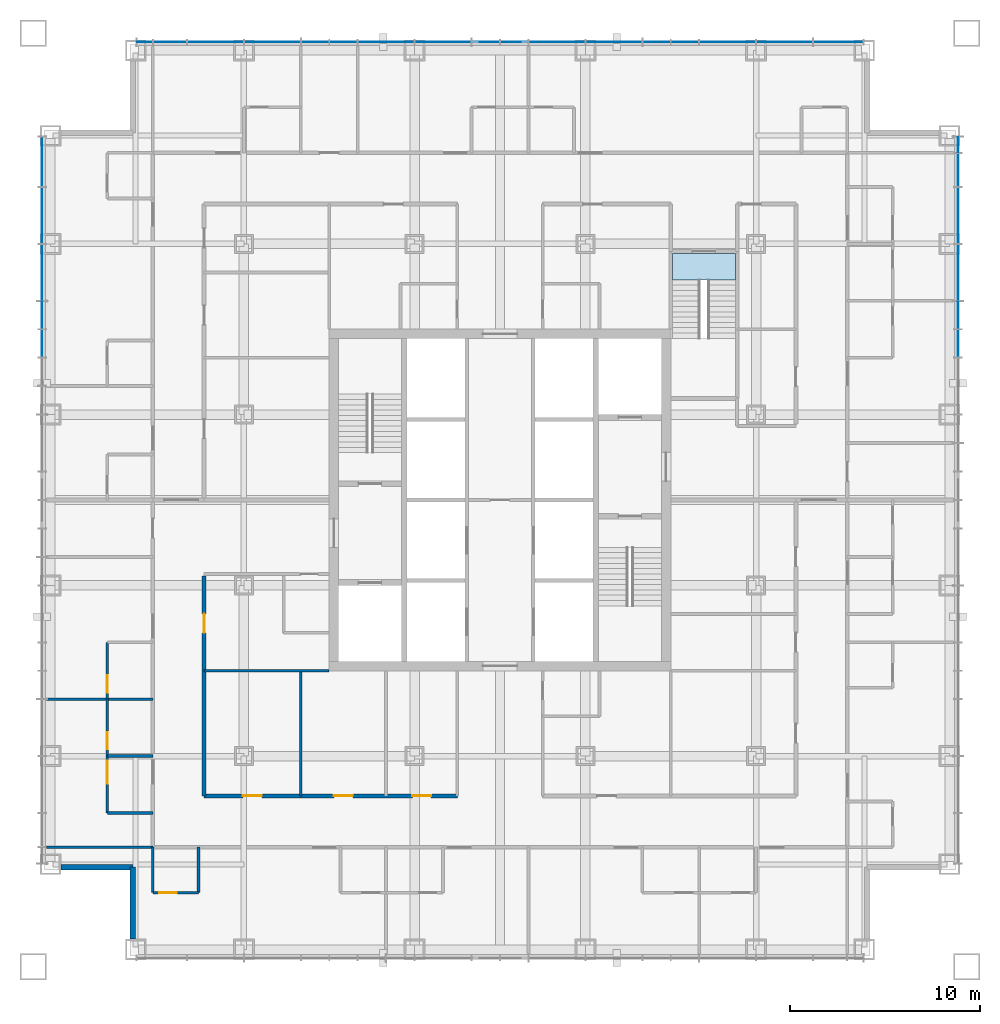
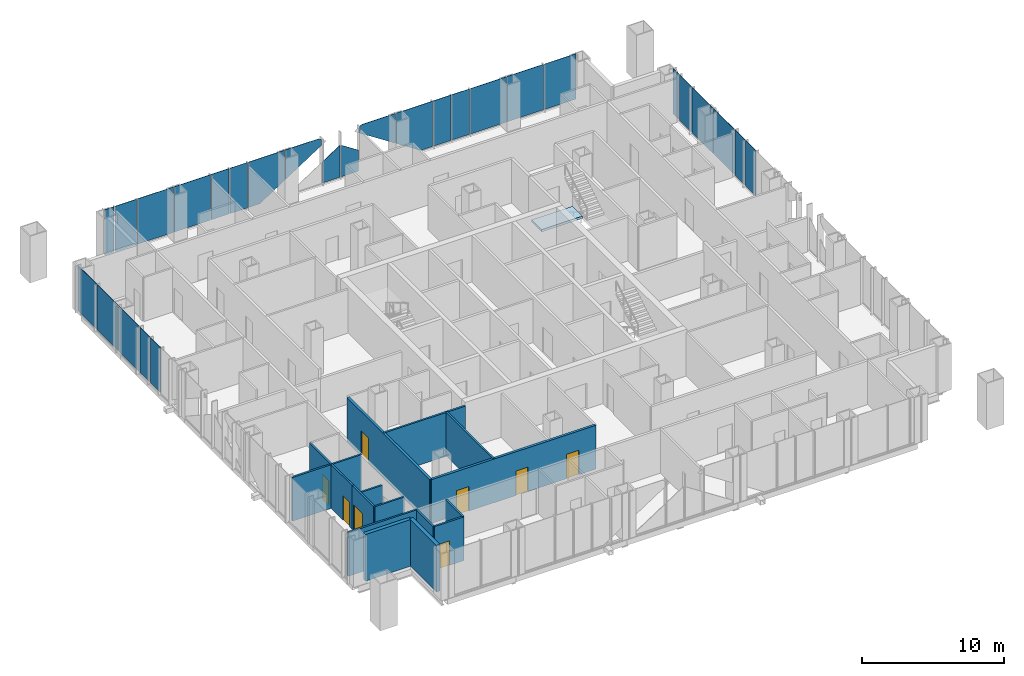
# One storey, part 8 of 16: 28 plates, 16 walls, 8 doors, 1 slab, 8 openings, 4 elements without a shape of their own.
"""IFC4 building model written with IfcOpenShell, lengths in metres."""

from ifc_helpers import new_model, si_unit, direction, frame, frame_2d, origin, origin_2d, place, context, subcontext, project, spatial, polyline, rectangle, outline, extrude, material, layer, layer_set, type_object, element, fill, aggregate, save


model = new_model("IFC4")

# Units and contexts
model_context = context("Model", 3, precision=1e-05, world=origin(), true_north=direction((0.0, 1.0)))
body_context = subcontext(model_context, "Body", "Model", "MODEL_VIEW")
ifc_project = project(units=[si_unit("LENGTHUNIT", "METRE"), si_unit("AREAUNIT", "SQUARE_METRE"), si_unit("VOLUMEUNIT", "CUBIC_METRE"), si_unit("PLANEANGLEUNIT", "RADIAN"), si_unit("MASSUNIT", "GRAM", prefix="KILO")], contexts=[model_context])

# Site, building, storey
site_placement = place(None, origin())
site = spatial("IfcSite", under=ifc_project, at=site_placement, CompositionType="ELEMENT")
building_placement = place(site_placement, origin())
building = spatial("IfcBuilding", under=site, at=building_placement, Name="Malebo Sky Hospital", CompositionType="ELEMENT")
storey_placement = place(building_placement, frame((0.0, 0.0, 152.0)))
storey = spatial("IfcBuildingStorey", under=building, at=storey_placement, Name="L36", CompositionType="ELEMENT", Elevation=152.0)

# Stair, slab
ifc_material_1 = material(Name="Concrete C40/50", Category="concrete")
stair_type = type_object("IfcStairType", Name="HALF-TURN STAIR 1400 R167", PredefinedType="HALF_TURN_STAIR", material=ifc_material_1)
stair_placement = place(storey_placement, origin())
stair = element("IfcStair", 1, at=stair_placement, inside=storey, type_object=stair_type, Name="Stair S3 L36 type ST1B", PredefinedType="HALF_TURN_STAIR")
ifc_layer_1 = layer(ifc_material_1, 0.199951171875)
ifc_layer_set_1 = layer_set([ifc_layer_1], Name="STAIR LANDING 200")
slab_type = type_object("IfcSlabType", Name="STAIR LANDING 200", PredefinedType="LANDING", material=ifc_layer_set_1)
slab_placement = place(storey_placement, frame((0.0, 0.0, -0.199951171875)))
slab = element("IfcSlab", 2, at=slab_placement, type_object=slab_type, Name="S3 landing 1", PredefinedType="LANDING", context=body_context, shape_type="SweptSolid", body=[
    extrude(outline(polyline([(69.10009765625, 73.60009765625), (72.39990234375, 73.60009765625), (72.39990234375, 75.0), (69.10009765625, 75.0), (69.10009765625, 73.60009765625)])), origin(), (0.0, 0.0, 1.0), 0.199951171875),
])
aggregate(stair, [slab])

# Curtain wall, plates
ifc_material_2 = material(Name="Anodised aluminium, natural silver", Category="aluminium")
ifc_layer_2 = layer(ifc_material_2, 0.25)
ifc_layer_set_2 = layer_set([ifc_layer_2], Name="WARD CURTAIN WALL NORTH AND SOUTH")
curtain_wall_type_1 = type_object("IfcCurtainWallType", Name="WARD CURTAIN WALL NORTH AND SOUTH", PredefinedType="NOTDEFINED", material=ifc_layer_set_2)
curtain_wall_1_placement = place(storey_placement, origin())
curtain_wall_1 = element("IfcCurtainWall", 3, at=curtain_wall_1_placement, inside=storey, type_object=curtain_wall_type_1, Name="NS curtain wall N", PredefinedType="NOTDEFINED")
ifc_material_3 = material(Name="Clear low-iron double glazing", Category="glass")
ifc_layer_3 = layer(ifc_material_3, 0.031982421875)
ifc_layer_set_3 = layer_set([ifc_layer_3], Name="VISION PANEL CLEAR 32")
plate_type = type_object("IfcPlateType", Name="VISION PANEL CLEAR 32", PredefinedType="CURTAIN_PANEL", material=ifc_layer_set_3)
plate_1_placement = place(storey_placement, frame((41.268798828125, 86.135009765625, 0.10009765625), z_axis=(0.0, 0.0, 1.0), x_axis=(1.0, 0.0, 0.0)))
plate_1 = element("IfcPlate", 4, at=plate_1_placement, type_object=plate_type, Name="Panel 1", PredefinedType="CURTAIN_PANEL", context=body_context, shape_type="SweptSolid", body=[
    extrude(rectangle(XDim=0.78759765625, YDim=0.031982421875, at=origin_2d()), origin(), (0.0, 0.0, 1.0), 3.889892578125),
])
plate_2_placement = place(storey_placement, frame((42.60009765625, 86.135009765625, 0.10009765625), z_axis=(0.0, 0.0, 1.0), x_axis=(1.0, 0.0, 0.0)))
plate_2 = element("IfcPlate", 5, at=plate_2_placement, type_object=plate_type, Name="Panel 2", PredefinedType="CURTAIN_PANEL", context=body_context, shape_type="SweptSolid", body=[
    extrude(rectangle(XDim=1.72509765625, YDim=0.031982421875, at=origin_2d()), origin(), (0.0, 0.0, 1.0), 3.889892578125),
])
plate_3_placement = place(storey_placement, frame((45.0, 86.135009765625, 0.10009765625), z_axis=(0.0, 0.0, 1.0), x_axis=(1.0, 0.0, 0.0)))
plate_3 = element("IfcPlate", 6, at=plate_3_placement, type_object=plate_type, Name="Panel 3", PredefinedType="CURTAIN_PANEL", context=body_context, shape_type="SweptSolid", body=[
    extrude(rectangle(XDim=2.925048828125, YDim=0.031982421875, at=origin_2d()), origin(), (0.0, 0.0, 1.0), 3.889892578125),
])
plate_4_placement = place(storey_placement, frame((48.0, 86.135009765625, 0.10009765625), z_axis=(0.0, 0.0, 1.0), x_axis=(1.0, 0.0, 0.0)))
plate_4 = element("IfcPlate", 7, at=plate_4_placement, type_object=plate_type, Name="Panel 4", PredefinedType="CURTAIN_PANEL", context=body_context, shape_type="SweptSolid", body=[
    extrude(rectangle(XDim=2.925048828125, YDim=0.031982421875, at=origin_2d()), origin(), (0.0, 0.0, 1.0), 3.889892578125),
])
plate_5_placement = place(storey_placement, frame((50.25, 86.135009765625, 0.10009765625), z_axis=(0.0, 0.0, 1.0), x_axis=(1.0, 0.0, 0.0)))
plate_5 = element("IfcPlate", 8, at=plate_5_placement, type_object=plate_type, Name="Panel 5", PredefinedType="CURTAIN_PANEL", context=body_context, shape_type="SweptSolid", body=[
    extrude(rectangle(XDim=1.425048828125, YDim=0.031982421875, at=origin_2d()), origin(), (0.0, 0.0, 1.0), 3.889892578125),
])
plate_6_placement = place(storey_placement, frame((51.75, 86.135009765625, 0.10009765625), z_axis=(0.0, 0.0, 1.0), x_axis=(1.0, 0.0, 0.0)))
plate_6 = element("IfcPlate", 9, at=plate_6_placement, type_object=plate_type, Name="Panel 6", PredefinedType="CURTAIN_PANEL", context=body_context, shape_type="SweptSolid", body=[
    extrude(rectangle(XDim=1.425048828125, YDim=0.031982421875, at=origin_2d()), origin(), (0.0, 0.0, 1.0), 3.889892578125),
])
plate_7_placement = place(storey_placement, frame((54.0, 86.135009765625, 0.10009765625), z_axis=(0.0, 0.0, 1.0), x_axis=(1.0, 0.0, 0.0)))
plate_7 = element("IfcPlate", 10, at=plate_7_placement, type_object=plate_type, Name="Panel 7", PredefinedType="CURTAIN_PANEL", context=body_context, shape_type="SweptSolid", body=[
    extrude(outline(polyline([(-1.46240234375, 0.0), (-0.52880859375, 0.0), (1.46240234375, 1.295166015625), (1.46240234375, 3.889892578125), (-1.46240234375, 3.889892578125), (-1.46240234375, 0.0)])), frame((0.0, 0.01611328125, 0.0), z_axis=(0.0, -1.0, 0.0), x_axis=(1.0, 0.0, 0.0)), (0.0, 0.0, 1.0), 0.031982421875),
])
plate_8_placement = place(storey_placement, frame((57.0, 86.135009765625, 1.44384765625), z_axis=(0.0, 0.0, 1.0), x_axis=(1.0, 0.0, 0.0)))
plate_8 = element("IfcPlate", 11, at=plate_8_placement, type_object=plate_type, Name="Panel 8", PredefinedType="CURTAIN_PANEL", context=body_context, shape_type="SweptSolid", body=[
    extrude(outline(polyline([(-1.46240234375, 0.0), (1.46240234375, 1.902587890625), (1.46240234375, 2.41015625), (1.25341796875, 2.546142578125), (-1.46240234375, 2.546142578125), (-1.46240234375, 0.0)])), frame((0.0, 0.01611328125, 0.0), z_axis=(0.0, -1.0, 0.0), x_axis=(1.0, 0.0, 0.0)), (0.0, 0.0, 1.0), 0.031982421875),
])
plate_9_placement = place(storey_placement, frame((59.25, 86.135009765625, 0.10009765625), z_axis=(0.0, 0.0, 1.0), x_axis=(1.0, 0.0, 0.0)))
plate_9 = element("IfcPlate", 12, at=plate_9_placement, type_object=plate_type, Name="Panel 9", PredefinedType="CURTAIN_PANEL", context=body_context, shape_type="SweptSolid", body=[
    extrude(outline(polyline([(-0.71240234375, 0.0), (0.71240234375, 0.0), (0.71240234375, 2.7294921875), (-0.71240234375, 1.802734375), (-0.71240234375, 0.0)])), frame((0.0, 0.01611328125, 0.0), z_axis=(0.0, -1.0, 0.0), x_axis=(1.0, 0.0, 0.0)), (0.0, 0.0, 1.0), 0.031982421875),
])
plate_10_placement = place(storey_placement, frame((60.75, 86.135009765625, 0.10009765625), z_axis=(0.0, 0.0, 1.0), x_axis=(1.0, 0.0, 0.0)))
plate_10 = element("IfcPlate", 13, at=plate_10_placement, type_object=plate_type, Name="Panel 10", PredefinedType="CURTAIN_PANEL", context=body_context, shape_type="SweptSolid", body=[
    extrude(outline(polyline([(-0.71240234375, 0.0), (0.71240234375, 0.0), (0.71240234375, 1.802734375), (-0.71240234375, 2.7294921875), (-0.71240234375, 0.0)])), frame((0.0, 0.01611328125, 0.0), z_axis=(0.0, -1.0, 0.0), x_axis=(1.0, 0.0, 0.0)), (0.0, 0.0, 1.0), 0.031982421875),
])
plate_11_placement = place(storey_placement, frame((63.0, 86.135009765625, 1.44384765625), z_axis=(0.0, 0.0, 1.0), x_axis=(1.0, 0.0, 0.0)))
plate_11 = element("IfcPlate", 14, at=plate_11_placement, type_object=plate_type, Name="Panel 11", PredefinedType="CURTAIN_PANEL", context=body_context, shape_type="SweptSolid", body=[
    extrude(outline(polyline([(1.46240234375, 0.0), (1.46240234375, 2.546142578125), (-1.25341796875, 2.546142578125), (-1.46240234375, 2.41015625), (-1.46240234375, 1.902587890625), (1.46240234375, 0.0)])), frame((0.0, 0.01611328125, 0.0), z_axis=(0.0, -1.0, 0.0), x_axis=(1.0, 0.0, 0.0)), (0.0, 0.0, 1.0), 0.031982421875),
])
plate_12_placement = place(storey_placement, frame((66.0, 86.135009765625, 0.10009765625), z_axis=(0.0, 0.0, 1.0), x_axis=(1.0, 0.0, 0.0)))
plate_12 = element("IfcPlate", 15, at=plate_12_placement, type_object=plate_type, Name="Panel 12", PredefinedType="CURTAIN_PANEL", context=body_context, shape_type="SweptSolid", body=[
    extrude(outline(polyline([(0.52880859375, 0.0), (1.46240234375, 0.0), (1.46240234375, 3.889892578125), (-1.46240234375, 3.889892578125), (-1.46240234375, 1.295166015625), (0.52880859375, 0.0)])), frame((0.0, 0.01611328125, 0.0), z_axis=(0.0, -1.0, 0.0), x_axis=(1.0, 0.0, 0.0)), (0.0, 0.0, 1.0), 0.031982421875),
])
plate_13_placement = place(storey_placement, frame((68.25, 86.135009765625, 0.10009765625), z_axis=(0.0, 0.0, 1.0), x_axis=(1.0, 0.0, 0.0)))
plate_13 = element("IfcPlate", 16, at=plate_13_placement, type_object=plate_type, Name="Panel 13", PredefinedType="CURTAIN_PANEL", context=body_context, shape_type="SweptSolid", body=[
    extrude(rectangle(XDim=1.425048828125, YDim=0.031982421875, at=origin_2d()), origin(), (0.0, 0.0, 1.0), 3.889892578125),
])
plate_14_placement = place(storey_placement, frame((69.75, 86.135009765625, 0.10009765625), z_axis=(0.0, 0.0, 1.0), x_axis=(1.0, 0.0, 0.0)))
plate_14 = element("IfcPlate", 17, at=plate_14_placement, type_object=plate_type, Name="Panel 14", PredefinedType="CURTAIN_PANEL", context=body_context, shape_type="SweptSolid", body=[
    extrude(rectangle(XDim=1.425048828125, YDim=0.031982421875, at=origin_2d()), origin(), (0.0, 0.0, 1.0), 3.889892578125),
])
plate_15_placement = place(storey_placement, frame((72.0, 86.135009765625, 0.10009765625), z_axis=(0.0, 0.0, 1.0), x_axis=(1.0, 0.0, 0.0)))
plate_15 = element("IfcPlate", 18, at=plate_15_placement, type_object=plate_type, Name="Panel 15", PredefinedType="CURTAIN_PANEL", context=body_context, shape_type="SweptSolid", body=[
    extrude(rectangle(XDim=2.925048828125, YDim=0.031982421875, at=origin_2d()), origin(), (0.0, 0.0, 1.0), 3.889892578125),
])
plate_16_placement = place(storey_placement, frame((75.0, 86.135009765625, 0.10009765625), z_axis=(0.0, 0.0, 1.0), x_axis=(1.0, 0.0, 0.0)))
plate_16 = element("IfcPlate", 19, at=plate_16_placement, type_object=plate_type, Name="Panel 16", PredefinedType="CURTAIN_PANEL", context=body_context, shape_type="SweptSolid", body=[
    extrude(rectangle(XDim=2.925048828125, YDim=0.031982421875, at=origin_2d()), origin(), (0.0, 0.0, 1.0), 3.889892578125),
])
plate_17_placement = place(storey_placement, frame((77.831298828125, 86.135009765625, 0.10009765625), z_axis=(0.0, 0.0, 1.0), x_axis=(1.0, 0.0, 0.0)))
plate_17 = element("IfcPlate", 20, at=plate_17_placement, type_object=plate_type, Name="Panel 17", PredefinedType="CURTAIN_PANEL", context=body_context, shape_type="SweptSolid", body=[
    extrude(rectangle(XDim=2.58740234375, YDim=0.031982421875, at=origin_2d()), origin(), (0.0, 0.0, 1.0), 3.889892578125),
])
aggregate(curtain_wall_1, [plate_1, plate_2, plate_3, plate_4, plate_5, plate_6, plate_7, plate_8, plate_9, plate_10, plate_11, plate_12, plate_13, plate_14, plate_15, plate_16, plate_17])

ifc_layer_4 = layer(ifc_material_2, 0.25)
ifc_layer_set_4 = layer_set([ifc_layer_4], Name="WARD CURTAIN WALL EAST AND WEST")
curtain_wall_type_2 = type_object("IfcCurtainWallType", Name="WARD CURTAIN WALL EAST AND WEST", PredefinedType="NOTDEFINED", material=ifc_layer_set_4)
curtain_wall_2_placement = place(storey_placement, origin())
curtain_wall_2 = element("IfcCurtainWall", 21, at=curtain_wall_2_placement, inside=storey, type_object=curtain_wall_type_2, Name="EW curtain wall W", PredefinedType="NOTDEFINED")
plate_18_placement = place(storey_placement, frame((35.864990234375, 70.25, 0.10009765625), z_axis=(0.0, 0.0, 1.0), x_axis=(0.0, 1.0, 0.0)))
plate_18 = element("IfcPlate", 22, at=plate_18_placement, type_object=plate_type, Name="Panel 15", PredefinedType="CURTAIN_PANEL", context=body_context, shape_type="SweptSolid", body=[
    extrude(rectangle(XDim=1.425048828125, YDim=0.031982421875, at=origin_2d()), origin(), (0.0, 0.0, 1.0), 3.889892578125),
])
plate_19_placement = place(storey_placement, frame((35.864990234375, 71.75, 0.10009765625), z_axis=(0.0, 0.0, 1.0), x_axis=(0.0, 1.0, 0.0)))
plate_19 = element("IfcPlate", 23, at=plate_19_placement, type_object=plate_type, Name="Panel 16", PredefinedType="CURTAIN_PANEL", context=body_context, shape_type="SweptSolid", body=[
    extrude(rectangle(XDim=1.425048828125, YDim=0.031982421875, at=origin_2d()), origin(), (0.0, 0.0, 1.0), 3.889892578125),
])
plate_20_placement = place(storey_placement, frame((35.864990234375, 74.0, 0.10009765625), z_axis=(0.0, 0.0, 1.0), x_axis=(0.0, 1.0, 0.0)))
plate_20 = element("IfcPlate", 24, at=plate_20_placement, type_object=plate_type, Name="Panel 17", PredefinedType="CURTAIN_PANEL", context=body_context, shape_type="SweptSolid", body=[
    extrude(rectangle(XDim=2.925048828125, YDim=0.031982421875, at=origin_2d()), origin(), (0.0, 0.0, 1.0), 3.889892578125),
])
plate_21_placement = place(storey_placement, frame((35.864990234375, 77.0, 0.10009765625), z_axis=(0.0, 0.0, 1.0), x_axis=(0.0, 1.0, 0.0)))
plate_21 = element("IfcPlate", 25, at=plate_21_placement, type_object=plate_type, Name="Panel 18", PredefinedType="CURTAIN_PANEL", context=body_context, shape_type="SweptSolid", body=[
    extrude(rectangle(XDim=2.925048828125, YDim=0.031982421875, at=origin_2d()), origin(), (0.0, 0.0, 1.0), 3.889892578125),
])
plate_22_placement = place(storey_placement, frame((35.864990234375, 79.831298828125, 0.10009765625), z_axis=(0.0, 0.0, 1.0), x_axis=(0.0, 1.0, 0.0)))
plate_22 = element("IfcPlate", 26, at=plate_22_placement, type_object=plate_type, Name="Panel 19", PredefinedType="CURTAIN_PANEL", context=body_context, shape_type="SweptSolid", body=[
    extrude(rectangle(XDim=2.58740234375, YDim=0.031982421875, at=origin_2d()), origin(), (0.0, 0.0, 1.0), 3.889892578125),
])
aggregate(curtain_wall_2, [plate_18, plate_19, plate_20, plate_21, plate_22])

curtain_wall_3_placement = place(storey_placement, origin())
curtain_wall_3 = element("IfcCurtainWall", 27, at=curtain_wall_3_placement, inside=storey, type_object=curtain_wall_type_2, Name="EW curtain wall E", PredefinedType="NOTDEFINED")
plate_23_placement = place(storey_placement, frame((84.135009765625, 80.731201171875, 0.10009765625), z_axis=(0.0, 0.0, 1.0), x_axis=(0.0, -1.0, 0.0)))
plate_23 = element("IfcPlate", 28, at=plate_23_placement, type_object=plate_type, Name="Panel 1", PredefinedType="CURTAIN_PANEL", context=body_context, shape_type="SweptSolid", body=[
    extrude(rectangle(XDim=0.78759765625, YDim=0.031982421875, at=origin_2d()), origin(), (0.0, 0.0, 1.0), 3.889892578125),
])
plate_24_placement = place(storey_placement, frame((84.135009765625, 79.39990234375, 0.10009765625), z_axis=(0.0, 0.0, 1.0), x_axis=(0.0, -1.0, 0.0)))
plate_24 = element("IfcPlate", 29, at=plate_24_placement, type_object=plate_type, Name="Panel 2", PredefinedType="CURTAIN_PANEL", context=body_context, shape_type="SweptSolid", body=[
    extrude(rectangle(XDim=1.72509765625, YDim=0.031982421875, at=origin_2d()), origin(), (0.0, 0.0, 1.0), 3.889892578125),
])
plate_25_placement = place(storey_placement, frame((84.135009765625, 77.0, 0.10009765625), z_axis=(0.0, 0.0, 1.0), x_axis=(0.0, -1.0, 0.0)))
plate_25 = element("IfcPlate", 30, at=plate_25_placement, type_object=plate_type, Name="Panel 3", PredefinedType="CURTAIN_PANEL", context=body_context, shape_type="SweptSolid", body=[
    extrude(rectangle(XDim=2.925048828125, YDim=0.031982421875, at=origin_2d()), origin(), (0.0, 0.0, 1.0), 3.889892578125),
])
plate_26_placement = place(storey_placement, frame((84.135009765625, 74.0, 0.10009765625), z_axis=(0.0, 0.0, 1.0), x_axis=(0.0, -1.0, 0.0)))
plate_26 = element("IfcPlate", 31, at=plate_26_placement, type_object=plate_type, Name="Panel 4", PredefinedType="CURTAIN_PANEL", context=body_context, shape_type="SweptSolid", body=[
    extrude(rectangle(XDim=2.925048828125, YDim=0.031982421875, at=origin_2d()), origin(), (0.0, 0.0, 1.0), 3.889892578125),
])
plate_27_placement = place(storey_placement, frame((84.135009765625, 71.75, 0.10009765625), z_axis=(0.0, 0.0, 1.0), x_axis=(0.0, -1.0, 0.0)))
plate_27 = element("IfcPlate", 32, at=plate_27_placement, type_object=plate_type, Name="Panel 5", PredefinedType="CURTAIN_PANEL", context=body_context, shape_type="SweptSolid", body=[
    extrude(rectangle(XDim=1.425048828125, YDim=0.031982421875, at=origin_2d()), origin(), (0.0, 0.0, 1.0), 3.889892578125),
])
plate_28_placement = place(storey_placement, frame((84.135009765625, 70.25, 0.10009765625), z_axis=(0.0, 0.0, 1.0), x_axis=(0.0, -1.0, 0.0)))
plate_28 = element("IfcPlate", 33, at=plate_28_placement, type_object=plate_type, Name="Panel 6", PredefinedType="CURTAIN_PANEL", context=body_context, shape_type="SweptSolid", body=[
    extrude(rectangle(XDim=1.425048828125, YDim=0.031982421875, at=origin_2d()), origin(), (0.0, 0.0, 1.0), 3.889892578125),
])
aggregate(curtain_wall_3, [plate_23, plate_24, plate_25, plate_26, plate_27, plate_28])

# Wall, opening, door
ifc_material_4 = material(Name="Gypsum board on steel studs", Category="steel")
ifc_layer_5 = layer(ifc_material_4, 0.199951171875)
ifc_layer_set_5 = layer_set([ifc_layer_5], Name="CORRIDOR WALL 200")
wall_type_1 = type_object("IfcWallType", Name="CORRIDOR WALL 200", PredefinedType="PARTITIONING", material=ifc_layer_set_5)
wall_1_placement = place(storey_placement, frame((44.39990234375, 46.39990234375, 0.0), z_axis=(0.0, 0.0, 1.0), x_axis=(0.0, 1.0, 0.0)))
wall_1 = element("IfcWall", 34, at=wall_1_placement, inside=storey, type_object=wall_type_1, Name="Corridor Wall 200 WCI1", PredefinedType="PARTITIONING", context=body_context, shape_type="SweptSolid", body=[
    extrude(rectangle(XDim=11.60009765625, YDim=0.199951171875, at=frame_2d((5.800048828125, 0.0))), origin(), (0.0, 0.0, 1.0), 3.75),
])
opening_1_placement = place(wall_1_placement, frame((8.60009765625, 0.0, 0.0)))
opening_1 = element("IfcOpeningElement", 35, at=opening_1_placement, cuts=wall_1, Name="Opening D03", PredefinedType="OPENING", context=body_context, shape_type="SweptSolid", body=[
    extrude(rectangle(XDim=1.0, YDim=2.10009765625, at=frame_2d((0.5, 1.050048828125))), frame((0.0, 0.10986328125, 0.0), z_axis=(0.0, -1.0, 0.0), x_axis=(1.0, 0.0, 0.0)), (0.0, 0.0, 1.0), 0.219970703125),
])
ifc_material_5 = material(Name="Hardwood-faced door leaf in steel frame", Category="steel")
door_type_1 = type_object("IfcDoorType", Name="ROOM DOOR 1000", OperationType="SINGLE_SWING_LEFT", PredefinedType="DOOR", material=ifc_material_5)
door_1_placement = place(opening_1_placement, origin())
door_1 = element("IfcDoor", 36, at=door_1_placement, inside=storey, type_object=door_type_1, Name="Ward office door", OperationType="SINGLE_SWING_LEFT", OverallHeight=2.10009765625, OverallWidth=1.0, PredefinedType="DOOR", context=body_context, shape_type="SweptSolid", body=[
    extrude(rectangle(XDim=1.0, YDim=2.10009765625, at=frame_2d((0.5, 1.050048828125))), frame((0.0, 0.02490234375, 0.0), z_axis=(0.0, -1.0, 0.0), x_axis=(1.0, 0.0, 0.0)), (0.0, 0.0, 1.0), 0.050048828125),
])
fill(opening_1, door_1)

# Wall, openings, doors
wall_2_placement = place(storey_placement, frame((57.75, 46.39990234375, 0.0), z_axis=(0.0, 0.0, 1.0), x_axis=(-1.0, 0.0, 0.0)))
wall_2 = element("IfcWall", 37, at=wall_2_placement, inside=storey, type_object=wall_type_1, Name="Corridor Wall 200 SCI2", PredefinedType="PARTITIONING", context=body_context, shape_type="SweptSolid", body=[
    extrude(rectangle(XDim=13.35009765625, YDim=0.199951171875, at=frame_2d((6.675048828125, 0.0))), origin(), (0.0, 0.0, 1.0), 3.75),
])
opening_2_placement = place(wall_2_placement, frame((1.375, 0.0, 0.0)))
opening_2 = element("IfcOpeningElement", 38, at=opening_2_placement, cuts=wall_2, Name="Opening D03", PredefinedType="OPENING", context=body_context, shape_type="SweptSolid", body=[
    extrude(rectangle(XDim=1.0, YDim=2.10009765625, at=frame_2d((0.5, 1.050048828125))), frame((0.0, 0.10986328125, 0.0), z_axis=(0.0, -1.0, 0.0), x_axis=(1.0, 0.0, 0.0)), (0.0, 0.0, 1.0), 0.219970703125),
])
opening_3_placement = place(wall_2_placement, frame((5.5, 0.0, 0.0)))
opening_3 = element("IfcOpeningElement", 39, at=opening_3_placement, cuts=wall_2, Name="Opening D03", PredefinedType="OPENING", context=body_context, shape_type="SweptSolid", body=[
    extrude(rectangle(XDim=1.0, YDim=2.10009765625, at=frame_2d((0.5, 1.050048828125))), frame((0.0, 0.10986328125, 0.0), z_axis=(0.0, -1.0, 0.0), x_axis=(1.0, 0.0, 0.0)), (0.0, 0.0, 1.0), 0.219970703125),
])
opening_4_placement = place(wall_2_placement, frame((10.300048828125, 0.0, 0.0)))
opening_4 = element("IfcOpeningElement", 40, at=opening_4_placement, cuts=wall_2, Name="Opening D03", PredefinedType="OPENING", context=body_context, shape_type="SweptSolid", body=[
    extrude(rectangle(XDim=1.0, YDim=2.10009765625, at=frame_2d((0.5, 1.050048828125))), frame((0.0, 0.10986328125, 0.0), z_axis=(0.0, -1.0, 0.0), x_axis=(1.0, 0.0, 0.0)), (0.0, 0.0, 1.0), 0.219970703125),
])
door_2_placement = place(opening_2_placement, origin())
door_2 = element("IfcDoor", 41, at=door_2_placement, inside=storey, type_object=door_type_1, Name="Equipment store door", OperationType="SINGLE_SWING_LEFT", OverallHeight=2.10009765625, OverallWidth=1.0, PredefinedType="DOOR", context=body_context, shape_type="SweptSolid", body=[
    extrude(rectangle(XDim=1.0, YDim=2.10009765625, at=frame_2d((0.5, 1.050048828125))), frame((0.0, 0.02490234375, 0.0), z_axis=(0.0, -1.0, 0.0), x_axis=(1.0, 0.0, 0.0)), (0.0, 0.0, 1.0), 0.050048828125),
])
fill(opening_2, door_2)
door_3_placement = place(opening_3_placement, origin())
door_3 = element("IfcDoor", 42, at=door_3_placement, inside=storey, type_object=door_type_1, Name="Clean utility room door", OperationType="SINGLE_SWING_LEFT", OverallHeight=2.10009765625, OverallWidth=1.0, PredefinedType="DOOR", context=body_context, shape_type="SweptSolid", body=[
    extrude(rectangle(XDim=1.0, YDim=2.10009765625, at=frame_2d((0.5, 1.050048828125))), frame((0.0, 0.02490234375, 0.0), z_axis=(0.0, -1.0, 0.0), x_axis=(1.0, 0.0, 0.0)), (0.0, 0.0, 1.0), 0.050048828125),
])
fill(opening_3, door_3)
door_4_placement = place(opening_4_placement, origin())
door_4 = element("IfcDoor", 43, at=door_4_placement, inside=storey, type_object=door_type_1, Name="Seminar room door", OperationType="SINGLE_SWING_RIGHT", OverallHeight=2.10009765625, OverallWidth=1.0, PredefinedType="DOOR", context=body_context, shape_type="SweptSolid", body=[
    extrude(rectangle(XDim=1.0, YDim=2.10009765625, at=frame_2d((0.5, 1.050048828125))), frame((0.0, 0.02490234375, 0.0), z_axis=(0.0, -1.0, 0.0), x_axis=(1.0, 0.0, 0.0)), (0.0, 0.0, 1.0), 0.050048828125),
])
fill(opening_4, door_4)

# Walls
ifc_material_6 = material(Name="Anodised aluminium rainscreen on steel framing", Category="steel")
ifc_layer_6 = layer(ifc_material_6, 0.300048828125)
ifc_layer_set_6 = layer_set([ifc_layer_6], Name="NOTCH RAINSCREEN WALL 300")
wall_type_2 = type_object("IfcWallType", Name="NOTCH RAINSCREEN WALL 300", PredefinedType="ELEMENTEDWALL", material=ifc_layer_set_6)
for number, where, z_axis, x_axis, name in (
    (44, (40.64990234375, 38.85009765625, 0.0), (0.0, 0.0, 1.0), (0.0, 1.0, 0.0), "Notch rainscreen wall S1 L36"),
    (45, (40.64990234375, 42.64990234375, 0.0), (0.0, 0.0, 1.0), (-1.0, 0.0, 0.0), "Notch rainscreen wall S2 L36"),
):
    element("IfcWall", number, at=place(storey_placement, frame(where, z_axis=z_axis, x_axis=x_axis)), inside=storey, type_object=wall_type_2, Name=name, PredefinedType="ELEMENTEDWALL", context=body_context, shape_type="SweptSolid", body=[
        extrude(rectangle(XDim=3.7998046875, YDim=0.300048828125, at=frame_2d((1.89990234375, 0.0))), origin(), (0.0, 0.0, 1.0), 4.0),
    ])
ifc_layer_7 = layer(ifc_material_4, 0.14990234375)
ifc_layer_set_7 = layer_set([ifc_layer_7], Name="PARTITION 150")
wall_type_3 = type_object("IfcWallType", Name="PARTITION 150", PredefinedType="PARTITIONING", material=ifc_layer_set_7)
for number, where, z_axis, x_axis, name in (
    (46, (41.699951171875, 51.5, 0.0), (0.0, 0.0, 1.0), (-1.0, 0.0, 0.0), "Partition 150 WP-10.5"),
    (47, (41.699951171875, 43.699951171875, 0.0), (0.0, 0.0, 1.0), (-1.0, 0.0, 0.0), "Partition 150 WP0"),
):
    element("IfcWall", number, at=place(storey_placement, frame(where, z_axis=z_axis, x_axis=x_axis)), inside=storey, type_object=wall_type_3, Name=name, PredefinedType="PARTITIONING", context=body_context, shape_type="SweptSolid", body=[
        extrude(rectangle(XDim=5.60986328125, YDim=0.14990234375, at=frame_2d((2.804931640625, 0.0))), origin(), (0.0, 0.0, 1.0), 3.75),
    ])

# Wall, opening, door
wall_3_placement = place(storey_placement, frame((39.300048828125, 48.5, 0.0), z_axis=(0.0, 0.0, 1.0), x_axis=(0.0, 1.0, 0.0)))
wall_3 = element("IfcWall", 48, at=wall_3_placement, inside=storey, type_object=wall_type_3, Name="Partition 150 WE0F", PredefinedType="PARTITIONING", context=body_context, shape_type="SweptSolid", body=[
    extrude(rectangle(XDim=3.0, YDim=0.14990234375, at=frame_2d((1.5, 0.0))), origin(), (0.0, 0.0, 1.0), 3.75),
])
opening_5_placement = place(wall_3_placement, frame((0.35009765625, 0.0, 0.0)))
opening_5 = element("IfcOpeningElement", 49, at=opening_5_placement, cuts=wall_3, Name="Opening D02", PredefinedType="OPENING", context=body_context, shape_type="SweptSolid", body=[
    extrude(rectangle(XDim=0.89990234375, YDim=2.10009765625, at=frame_2d((0.449951171875, 1.050048828125))), frame((0.0, 0.0849609375, 0.0), z_axis=(0.0, -1.0, 0.0), x_axis=(1.0, 0.0, 0.0)), (0.0, 0.0, 1.0), 0.169921875),
])
door_type_2 = type_object("IfcDoorType", Name="EN-SUITE DOOR 900", OperationType="SINGLE_SWING_LEFT", PredefinedType="DOOR", material=ifc_material_5)
door_5_placement = place(opening_5_placement, origin())
door_5 = element("IfcDoor", 50, at=door_5_placement, inside=storey, type_object=door_type_2, Name="En-suite door", OperationType="SINGLE_SWING_LEFT", OverallHeight=2.10009765625, OverallWidth=0.89990234375, PredefinedType="DOOR", context=body_context, shape_type="SweptSolid", body=[
    extrude(rectangle(XDim=0.89990234375, YDim=2.10009765625, at=frame_2d((0.449951171875, 1.050048828125))), frame((0.0, 0.02490234375, 0.0), z_axis=(0.0, -1.0, 0.0), x_axis=(1.0, 0.0, 0.0)), (0.0, 0.0, 1.0), 0.050048828125),
])
fill(opening_5, door_5)

# Wall
wall_4_placement = place(storey_placement, frame((41.699951171875, 48.5, 0.0), z_axis=(0.0, 0.0, 1.0), x_axis=(-1.0, 0.0, 0.0)))
element("IfcWall", 51, at=wall_4_placement, inside=storey, type_object=wall_type_3, Name="Partition 150 WE0S", PredefinedType="PARTITIONING", context=body_context, shape_type="SweptSolid", body=[
    extrude(rectangle(XDim=2.39990234375, YDim=0.14990234375, at=frame_2d((1.199951171875, 0.0))), origin(), (0.0, 0.0, 1.0), 2.949951171875),
])

# Wall, opening, door
wall_5_placement = place(storey_placement, frame((39.300048828125, 51.5, 0.0), z_axis=(0.0, 0.0, 1.0), x_axis=(0.0, 1.0, 0.0)))
wall_5 = element("IfcWall", 52, at=wall_5_placement, inside=storey, type_object=wall_type_3, Name="Partition 150 WE1F", PredefinedType="PARTITIONING", context=body_context, shape_type="SweptSolid", body=[
    extrude(rectangle(XDim=3.0, YDim=0.14990234375, at=frame_2d((1.5, 0.0))), origin(), (0.0, 0.0, 1.0), 3.75),
])
opening_6_placement = place(wall_5_placement, frame((0.35009765625, 0.0, 0.0)))
opening_6 = element("IfcOpeningElement", 53, at=opening_6_placement, cuts=wall_5, Name="Opening D02", PredefinedType="OPENING", context=body_context, shape_type="SweptSolid", body=[
    extrude(rectangle(XDim=0.89990234375, YDim=2.10009765625, at=frame_2d((0.449951171875, 1.050048828125))), frame((0.0, 0.0849609375, 0.0), z_axis=(0.0, -1.0, 0.0), x_axis=(1.0, 0.0, 0.0)), (0.0, 0.0, 1.0), 0.169921875),
])
door_6_placement = place(opening_6_placement, origin())
door_6 = element("IfcDoor", 54, at=door_6_placement, inside=storey, type_object=door_type_2, Name="En-suite door", OperationType="SINGLE_SWING_LEFT", OverallHeight=2.10009765625, OverallWidth=0.89990234375, PredefinedType="DOOR", context=body_context, shape_type="SweptSolid", body=[
    extrude(rectangle(XDim=0.89990234375, YDim=2.10009765625, at=frame_2d((0.449951171875, 1.050048828125))), frame((0.0, 0.02490234375, 0.0), z_axis=(0.0, -1.0, 0.0), x_axis=(1.0, 0.0, 0.0)), (0.0, 0.0, 1.0), 0.050048828125),
])
fill(opening_6, door_6)

# Wall
wall_6_placement = place(storey_placement, frame((51.0, 53.0, 0.0), z_axis=(0.0, 0.0, 1.0), x_axis=(-1.0, 0.0, 0.0)))
element("IfcWall", 55, at=wall_6_placement, inside=storey, type_object=wall_type_3, Name="Partition 150 WSP0", PredefinedType="PARTITIONING", context=body_context, shape_type="SweptSolid", body=[
    extrude(rectangle(XDim=6.60009765625, YDim=0.14990234375, at=frame_2d((3.300048828125, 0.0))), origin(), (0.0, 0.0, 1.0), 3.75),
])

# Wall, opening, door
wall_7_placement = place(storey_placement, frame((44.10009765625, 41.300048828125, 0.0), z_axis=(0.0, 0.0, 1.0), x_axis=(-1.0, 0.0, 0.0)))
wall_7 = element("IfcWall", 56, at=wall_7_placement, inside=storey, type_object=wall_type_3, Name="Partition 150 SG3F", PredefinedType="PARTITIONING", context=body_context, shape_type="SweptSolid", body=[
    extrude(rectangle(XDim=2.400146484375, YDim=0.14990234375, at=frame_2d((1.2001953125, 0.0))), origin(), (0.0, 0.0, 1.0), 3.75),
])
opening_7_placement = place(wall_7_placement, frame((1.14990234375, 0.0, 0.0)))
opening_7 = element("IfcOpeningElement", 57, at=opening_7_placement, cuts=wall_7, Name="Opening D02", PredefinedType="OPENING", context=body_context, shape_type="SweptSolid", body=[
    extrude(rectangle(XDim=0.89990234375, YDim=2.10009765625, at=frame_2d((0.449951171875, 1.050048828125))), frame((0.0, 0.0849609375, 0.0), z_axis=(0.0, -1.0, 0.0), x_axis=(1.0, 0.0, 0.0)), (0.0, 0.0, 1.0), 0.169921875),
])
door_7_placement = place(opening_7_placement, origin())
door_7 = element("IfcDoor", 58, at=door_7_placement, inside=storey, type_object=door_type_2, Name="En-suite door", OperationType="SINGLE_SWING_RIGHT", OverallHeight=2.10009765625, OverallWidth=0.89990234375, PredefinedType="DOOR", context=body_context, shape_type="SweptSolid", body=[
    extrude(rectangle(XDim=0.89990234375, YDim=2.10009765625, at=frame_2d((0.449951171875, 1.050048828125))), frame((0.0, 0.02490234375, 0.0), z_axis=(0.0, -1.0, 0.0), x_axis=(1.0, 0.0, 0.0)), (0.0, 0.0, 1.0), 0.050048828125),
])
fill(opening_7, door_7)

# Walls
for number, where, z_axis, x_axis, name in (
    (59, (44.10009765625, 43.699951171875, 0.0), (0.0, 0.0, 1.0), (0.0, -1.0, 0.0), "Partition 150 SG3S"),
    (60, (41.699951171875, 43.699951171875, 0.0), (0.0, 0.0, 1.0), (0.0, -1.0, 0.0), "Partition 150 SEZ"),
):
    element("IfcWall", number, at=place(storey_placement, frame(where, z_axis=z_axis, x_axis=x_axis)), inside=storey, type_object=wall_type_3, Name=name, PredefinedType="PARTITIONING", context=body_context, shape_type="SweptSolid", body=[
        extrude(rectangle(XDim=2.39990234375, YDim=0.14990234375, at=frame_2d((1.199951171875, 0.0))), origin(), (0.0, 0.0, 1.0), 3.75),
    ])
wall_8_placement = place(storey_placement, frame((49.5, 53.0, 0.0), z_axis=(0.0, 0.0, 1.0), x_axis=(0.0, -1.0, 0.0)))
element("IfcWall", 61, at=wall_8_placement, inside=storey, type_object=wall_type_3, Name="Partition 150 SSP+10.5", PredefinedType="PARTITIONING", context=body_context, shape_type="SweptSolid", body=[
    extrude(rectangle(XDim=6.60009765625, YDim=0.14990234375, at=frame_2d((3.300048828125, 0.0))), origin(), (0.0, 0.0, 1.0), 3.75),
])

# Wall, opening, door
ifc_material_7 = material(Name="Sealed gypsum board on steel studs, taped to the slab", Category="steel")
ifc_layer_8 = layer(ifc_material_7, 0.14990234375)
ifc_layer_set_8 = layer_set([ifc_layer_8], Name="SEALED ISOLATION PARTITION 150")
wall_type_4 = type_object("IfcWallType", Name="SEALED ISOLATION PARTITION 150", PredefinedType="PARTITIONING", material=ifc_layer_set_8)
wall_9_placement = place(storey_placement, frame((39.300048828125, 45.5, 0.0), z_axis=(0.0, 0.0, 1.0), x_axis=(0.0, 1.0, 0.0)))
wall_9 = element("IfcWall", 62, at=wall_9_placement, inside=storey, type_object=wall_type_4, Name="Sealed Isolation Partition 150 WA0F", PredefinedType="PARTITIONING", context=body_context, shape_type="SweptSolid", body=[
    extrude(rectangle(XDim=3.0, YDim=0.14990234375, at=frame_2d((1.5, 0.0))), origin(), (0.0, 0.0, 1.0), 3.75),
])
opening_8_placement = place(wall_9_placement, frame((1.550048828125, 0.0, 0.0)))
opening_8 = element("IfcOpeningElement", 63, at=opening_8_placement, cuts=wall_9, Name="Opening D19", PredefinedType="OPENING", context=body_context, shape_type="SweptSolid", body=[
    extrude(rectangle(XDim=1.199951171875, YDim=2.199951171875, at=frame_2d((0.60009765625, 1.10009765625))), frame((0.0, 0.0849609375, 0.0), z_axis=(0.0, -1.0, 0.0), x_axis=(1.0, 0.0, 0.0)), (0.0, 0.0, 1.0), 0.169921875),
])
ifc_material_8 = material(Name="Hardwood-faced door leaf with perimeter seals in steel frame", Category="steel")
door_type_3 = type_object("IfcDoorType", Name="SEALED ISOLATION ROOM DOOR 1200", OperationType="SINGLE_SWING_LEFT", PredefinedType="DOOR", material=ifc_material_8)
door_8_placement = place(opening_8_placement, origin())
door_8 = element("IfcDoor", 64, at=door_8_placement, inside=storey, type_object=door_type_3, Name="Isolation room door", OperationType="SINGLE_SWING_RIGHT", OverallHeight=2.199951171875, OverallWidth=1.199951171875, PredefinedType="DOOR", context=body_context, shape_type="SweptSolid", body=[
    extrude(rectangle(XDim=1.199951171875, YDim=2.199951171875, at=frame_2d((0.60009765625, 1.10009765625))), frame((0.0, 0.02490234375, 0.0), z_axis=(0.0, -1.0, 0.0), x_axis=(1.0, 0.0, 0.0)), (0.0, 0.0, 1.0), 0.050048828125),
])
fill(opening_8, door_8)

# Wall
wall_10_placement = place(storey_placement, frame((41.699951171875, 45.5, 0.0), z_axis=(0.0, 0.0, 1.0), x_axis=(-1.0, 0.0, 0.0)))
element("IfcWall", 65, at=wall_10_placement, inside=storey, type_object=wall_type_4, Name="Sealed Isolation Partition 150 WA0S", PredefinedType="PARTITIONING", context=body_context, shape_type="SweptSolid", body=[
    extrude(rectangle(XDim=2.39990234375, YDim=0.14990234375, at=frame_2d((1.199951171875, 0.0))), origin(), (0.0, 0.0, 1.0), 3.75),
])

save(model, "model.ifc")
